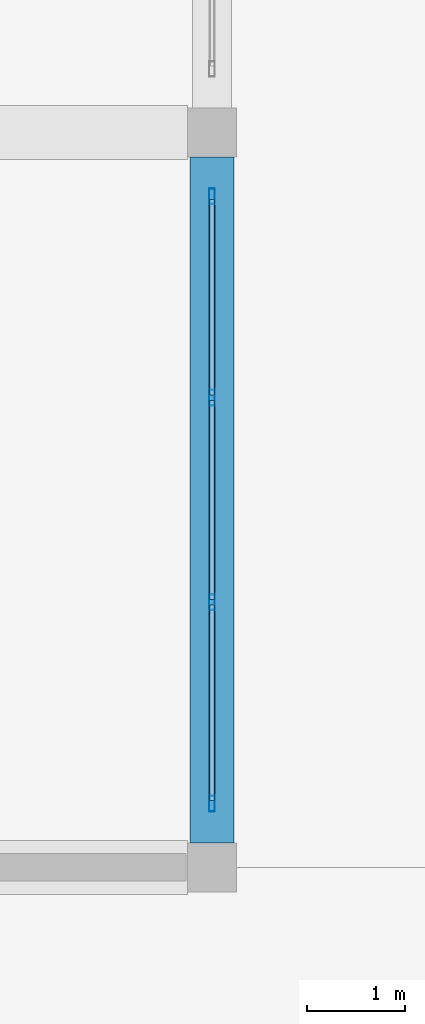
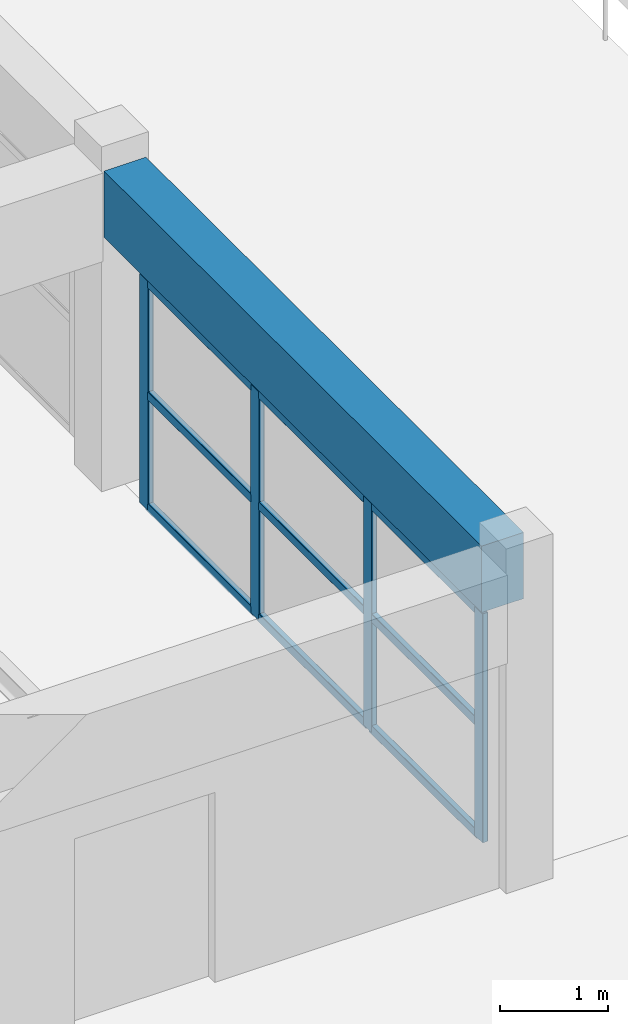
# One storey, part 8 of 82: 13 members, 1 beam, 1 element without a shape of its own.
"""IFC4 building model written with IfcOpenShell, lengths in metres."""

from ifc_helpers import new_model, si_unit, direction, frame, origin, origin_2d, place, context, subcontext, project, spatial, rectangle, hollow_rectangle, extrude, material, material_profile, profile_set, type_object, element, aggregate, save


model = new_model("IFC4")

# Units and contexts
model_context = context("Model", 3, precision=1e-05, world=origin(), true_north=direction((0.0, 1.0)))
body_context = subcontext(model_context, "Body", "Model", "MODEL_VIEW")
ifc_project = project(units=[si_unit("LENGTHUNIT", "METRE"), si_unit("AREAUNIT", "SQUARE_METRE"), si_unit("VOLUMEUNIT", "CUBIC_METRE"), si_unit("PLANEANGLEUNIT", "RADIAN"), si_unit("MASSUNIT", "GRAM", prefix="KILO")], contexts=[model_context])

# Site, building, storey
site_placement = place(None, origin())
site = spatial("IfcSite", under=ifc_project, at=site_placement, CompositionType="ELEMENT")
building_placement = place(site_placement, origin())
building = spatial("IfcBuilding", under=site, at=building_placement, Name="Qasida Concert Hall", CompositionType="ELEMENT")
storey_placement = place(building_placement, frame((0.0, 0.0, 17.10009765625)))
storey = spatial("IfcBuildingStorey", under=building, at=storey_placement, Name="L04", CompositionType="ELEMENT", Elevation=17.10009765625)

# Beam
ifc_material_1 = material(Name="Concrete C40/50", Category="concrete")
ifc_material_profile_1 = material_profile(ifc_material_1, rectangle(XDim=0.449951171875, YDim=0.75, at=origin_2d()), Name="RC 450x750")
ifc_profile_set_1 = profile_set([ifc_material_profile_1], Name="Concrete C40/50")
beam_type = type_object("IfcBeamType", Name="BM-SP4", PredefinedType="SPANDREL", material=ifc_profile_set_1)
beam_placement = place(storey_placement, frame((30.0, 22.75, 3.244873046875), z_axis=(0.0, 1.0, 0.0), x_axis=(-1.0, 0.0, 0.0)))
element("IfcBeam", 1, at=beam_placement, inside=storey, type_object=beam_type, Name="L04 girder 1911", PredefinedType="SPANDREL", context=body_context, shape_type="SweptSolid", body=[
    extrude(rectangle(XDim=0.449951171875, YDim=0.75, at=origin_2d()), origin(), (0.0, 0.0, 1.0), 7.0),
])

# Curtain wall, members
ifc_material_2 = material(Name="Architectural bronze-anodized aluminium and low-E glass", Category="aluminium")
curtain_wall_type = type_object("IfcCurtainWallType", Name="CW-12", PredefinedType="NOTDEFINED", material=ifc_material_2)
curtain_wall_placement = place(storey_placement, origin())
curtain_wall = element("IfcCurtainWall", 2, at=curtain_wall_placement, inside=storey, type_object=curtain_wall_type, Name="L04 curtain wall CW-12 0136", PredefinedType="NOTDEFINED")
ifc_material_3 = material(Name="Architectural bronze-anodized aluminium EN AW-6063", Category="aluminium")
ifc_material_profile_2 = material_profile(ifc_material_3, hollow_rectangle(XDim=0.06005859375, YDim=0.159912109375, WallThickness=0.00390625, InnerFilletRadius=0.00390625, OuterFilletRadius=0.008056640625, at=origin_2d()), Name="CWM 160x60x4")
ifc_profile_set_2 = profile_set([ifc_material_profile_2], Name="Architectural bronze-anodized aluminium EN AW-6063")
member_type_1 = type_object("IfcMemberType", Name="MB-CWM-3", PredefinedType="MULLION", material=ifc_profile_set_2)
member_1_placement = place(storey_placement, frame((30.0, 23.14990234375, 0.0), z_axis=(0.0, 0.0, 1.0), x_axis=(-1.0, 0.0, 0.0)))
member_1 = element("IfcMember", 3, at=member_1_placement, type_object=member_type_1, Name="CW-12 mullion 1", PredefinedType="MULLION", context=body_context, shape_type="SweptSolid", body=[
    extrude(hollow_rectangle(XDim=0.06005859375, YDim=0.159912109375, WallThickness=0.00390625, InnerFilletRadius=0.00390625, OuterFilletRadius=0.008056640625, at=origin_2d()), origin(), (0.0, 0.0, 1.0), 2.58984375),
])
member_2_placement = place(storey_placement, frame((30.0, 25.206787109375, 0.0), z_axis=(0.0, 0.0, 1.0), x_axis=(-1.0, 0.0, 0.0)))
member_2 = element("IfcMember", 4, at=member_2_placement, type_object=member_type_1, Name="CW-12 mullion 2", PredefinedType="MULLION", context=body_context, shape_type="SweptSolid", body=[
    extrude(hollow_rectangle(XDim=0.06005859375, YDim=0.159912109375, WallThickness=0.00390625, InnerFilletRadius=0.00390625, OuterFilletRadius=0.008056640625, at=origin_2d()), origin(), (0.0, 0.0, 1.0), 2.58984375),
])
member_3_placement = place(storey_placement, frame((30.0, 27.293212890625, 0.0), z_axis=(0.0, 0.0, 1.0), x_axis=(-1.0, 0.0, 0.0)))
member_3 = element("IfcMember", 5, at=member_3_placement, type_object=member_type_1, Name="CW-12 mullion 3", PredefinedType="MULLION", context=body_context, shape_type="SweptSolid", body=[
    extrude(hollow_rectangle(XDim=0.06005859375, YDim=0.159912109375, WallThickness=0.00390625, InnerFilletRadius=0.00390625, OuterFilletRadius=0.008056640625, at=origin_2d()), origin(), (0.0, 0.0, 1.0), 2.58984375),
])
member_4_placement = place(storey_placement, frame((30.0, 29.35009765625, 0.0), z_axis=(0.0, 0.0, 1.0), x_axis=(-1.0, 0.0, 0.0)))
member_4 = element("IfcMember", 6, at=member_4_placement, type_object=member_type_1, Name="CW-12 mullion 4", PredefinedType="MULLION", context=body_context, shape_type="SweptSolid", body=[
    extrude(hollow_rectangle(XDim=0.06005859375, YDim=0.159912109375, WallThickness=0.00390625, InnerFilletRadius=0.00390625, OuterFilletRadius=0.008056640625, at=origin_2d()), origin(), (0.0, 0.0, 1.0), 2.58984375),
])
ifc_material_profile_3 = material_profile(ifc_material_3, hollow_rectangle(XDim=0.06005859375, YDim=0.10009765625, WallThickness=0.00341796875, InnerFilletRadius=0.00341796875, OuterFilletRadius=0.007080078125, at=origin_2d()), Name="CWT 100x60x3.5")
ifc_profile_set_3 = profile_set([ifc_material_profile_3], Name="Architectural bronze-anodized aluminium EN AW-6063")
member_type_2 = type_object("IfcMemberType", Name="MB-CWT-3", PredefinedType="USERDEFINED", material=ifc_profile_set_3)
member_5_placement = place(storey_placement, frame((30.0, 23.179931640625, 0.02978515625), z_axis=(0.0, 1.0, 0.0), x_axis=(-1.0, 0.0, 0.0)))
member_5 = element("IfcMember", 7, at=member_5_placement, type_object=member_type_2, Name="CW-12 transom 1.1", ObjectType="TRANSOM", PredefinedType="USERDEFINED", context=body_context, shape_type="SweptSolid", body=[
    extrude(hollow_rectangle(XDim=0.06005859375, YDim=0.10009765625, WallThickness=0.00341796875, InnerFilletRadius=0.00341796875, OuterFilletRadius=0.007080078125, at=origin_2d()), origin(), (0.0, 0.0, 1.0), 1.996826171875),
])
member_6_placement = place(storey_placement, frame((30.0, 23.179931640625, 1.294921875), z_axis=(0.0, 1.0, 0.0), x_axis=(-1.0, 0.0, 0.0)))
member_6 = element("IfcMember", 8, at=member_6_placement, type_object=member_type_2, Name="CW-12 transom 1.2", ObjectType="TRANSOM", PredefinedType="USERDEFINED", context=body_context, shape_type="SweptSolid", body=[
    extrude(hollow_rectangle(XDim=0.06005859375, YDim=0.10009765625, WallThickness=0.00341796875, InnerFilletRadius=0.00341796875, OuterFilletRadius=0.007080078125, at=origin_2d()), origin(), (0.0, 0.0, 1.0), 1.996826171875),
])
member_7_placement = place(storey_placement, frame((30.0, 23.179931640625, 2.559814453125), z_axis=(0.0, 1.0, 0.0), x_axis=(-1.0, 0.0, 0.0)))
member_7 = element("IfcMember", 9, at=member_7_placement, type_object=member_type_2, Name="CW-12 transom 1.3", ObjectType="TRANSOM", PredefinedType="USERDEFINED", context=body_context, shape_type="SweptSolid", body=[
    extrude(hollow_rectangle(XDim=0.06005859375, YDim=0.10009765625, WallThickness=0.00341796875, InnerFilletRadius=0.00341796875, OuterFilletRadius=0.007080078125, at=origin_2d()), origin(), (0.0, 0.0, 1.0), 1.996826171875),
])
member_8_placement = place(storey_placement, frame((30.0, 25.236572265625, 0.02978515625), z_axis=(0.0, 1.0, 0.0), x_axis=(-1.0, 0.0, 0.0)))
member_8 = element("IfcMember", 10, at=member_8_placement, type_object=member_type_2, Name="CW-12 transom 2.1", ObjectType="TRANSOM", PredefinedType="USERDEFINED", context=body_context, shape_type="SweptSolid", body=[
    extrude(hollow_rectangle(XDim=0.06005859375, YDim=0.10009765625, WallThickness=0.00341796875, InnerFilletRadius=0.00341796875, OuterFilletRadius=0.007080078125, at=origin_2d()), origin(), (0.0, 0.0, 1.0), 2.02685546875),
])
member_9_placement = place(storey_placement, frame((30.0, 25.236572265625, 1.294921875), z_axis=(0.0, 1.0, 0.0), x_axis=(-1.0, 0.0, 0.0)))
member_9 = element("IfcMember", 11, at=member_9_placement, type_object=member_type_2, Name="CW-12 transom 2.2", ObjectType="TRANSOM", PredefinedType="USERDEFINED", context=body_context, shape_type="SweptSolid", body=[
    extrude(hollow_rectangle(XDim=0.06005859375, YDim=0.10009765625, WallThickness=0.00341796875, InnerFilletRadius=0.00341796875, OuterFilletRadius=0.007080078125, at=origin_2d()), origin(), (0.0, 0.0, 1.0), 2.02685546875),
])
member_10_placement = place(storey_placement, frame((30.0, 25.236572265625, 2.559814453125), z_axis=(0.0, 1.0, 0.0), x_axis=(-1.0, 0.0, 0.0)))
member_10 = element("IfcMember", 12, at=member_10_placement, type_object=member_type_2, Name="CW-12 transom 2.3", ObjectType="TRANSOM", PredefinedType="USERDEFINED", context=body_context, shape_type="SweptSolid", body=[
    extrude(hollow_rectangle(XDim=0.06005859375, YDim=0.10009765625, WallThickness=0.00341796875, InnerFilletRadius=0.00341796875, OuterFilletRadius=0.007080078125, at=origin_2d()), origin(), (0.0, 0.0, 1.0), 2.02685546875),
])
member_11_placement = place(storey_placement, frame((30.0, 27.3232421875, 0.02978515625), z_axis=(0.0, 1.0, 0.0), x_axis=(-1.0, 0.0, 0.0)))
member_11 = element("IfcMember", 13, at=member_11_placement, type_object=member_type_2, Name="CW-12 transom 3.1", ObjectType="TRANSOM", PredefinedType="USERDEFINED", context=body_context, shape_type="SweptSolid", body=[
    extrude(hollow_rectangle(XDim=0.06005859375, YDim=0.10009765625, WallThickness=0.00341796875, InnerFilletRadius=0.00341796875, OuterFilletRadius=0.007080078125, at=origin_2d()), origin(), (0.0, 0.0, 1.0), 1.996826171875),
])
member_12_placement = place(storey_placement, frame((30.0, 27.3232421875, 1.294921875), z_axis=(0.0, 1.0, 0.0), x_axis=(-1.0, 0.0, 0.0)))
member_12 = element("IfcMember", 14, at=member_12_placement, type_object=member_type_2, Name="CW-12 transom 3.2", ObjectType="TRANSOM", PredefinedType="USERDEFINED", context=body_context, shape_type="SweptSolid", body=[
    extrude(hollow_rectangle(XDim=0.06005859375, YDim=0.10009765625, WallThickness=0.00341796875, InnerFilletRadius=0.00341796875, OuterFilletRadius=0.007080078125, at=origin_2d()), origin(), (0.0, 0.0, 1.0), 1.996826171875),
])
member_13_placement = place(storey_placement, frame((30.0, 27.3232421875, 2.559814453125), z_axis=(0.0, 1.0, 0.0), x_axis=(-1.0, 0.0, 0.0)))
member_13 = element("IfcMember", 15, at=member_13_placement, type_object=member_type_2, Name="CW-12 transom 3.3", ObjectType="TRANSOM", PredefinedType="USERDEFINED", context=body_context, shape_type="SweptSolid", body=[
    extrude(hollow_rectangle(XDim=0.06005859375, YDim=0.10009765625, WallThickness=0.00341796875, InnerFilletRadius=0.00341796875, OuterFilletRadius=0.007080078125, at=origin_2d()), origin(), (0.0, 0.0, 1.0), 1.996826171875),
])
aggregate(curtain_wall, [member_1, member_2, member_3, member_4, member_5, member_6, member_7, member_8, member_9, member_10, member_11, member_12, member_13])

save(model, "model.ifc")
